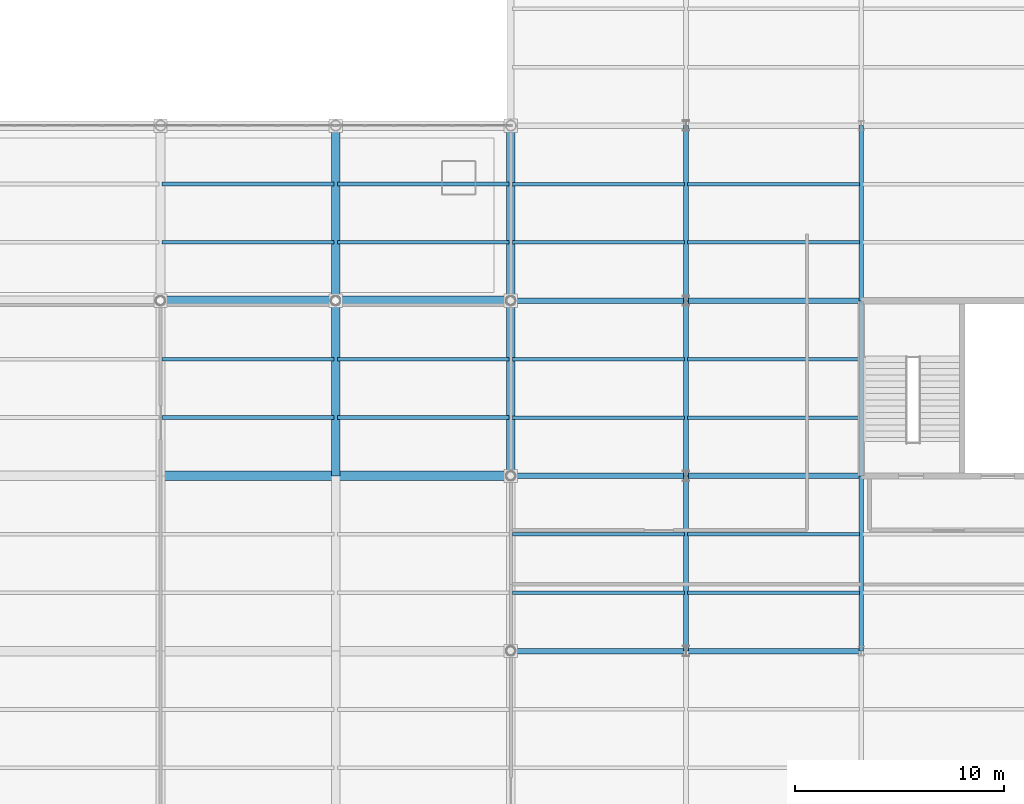
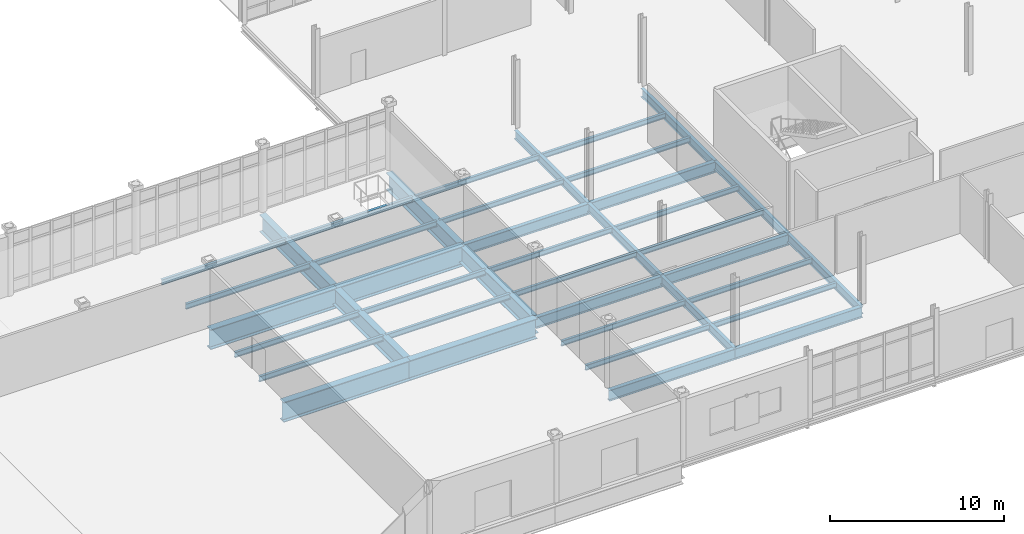
# One storey, part 52 of 145: 40 beams.
"""IFC4 building model written with IfcOpenShell, lengths in metres."""

from ifc_helpers import new_model, si_unit, direction, frame, origin, origin_2d, place, context, subcontext, project, spatial, i_section, extrude, material, material_profile, profile_set, type_object, element, save


model = new_model("IFC4")

# Units and contexts
model_context = context("Model", 3, precision=1e-05, world=origin(), true_north=direction((0.0, 1.0)))
body_context = subcontext(model_context, "Body", "Model", "MODEL_VIEW")
ifc_project = project(units=[si_unit("LENGTHUNIT", "METRE"), si_unit("AREAUNIT", "SQUARE_METRE"), si_unit("VOLUMEUNIT", "CUBIC_METRE"), si_unit("PLANEANGLEUNIT", "RADIAN"), si_unit("MASSUNIT", "GRAM", prefix="KILO")], contexts=[model_context])

# Site, building, storey
site_placement = place(None, origin())
site = spatial("IfcSite", under=ifc_project, at=site_placement, CompositionType="ELEMENT")
building_placement = place(site_placement, origin())
building = spatial("IfcBuilding", under=site, at=building_placement, Name="Qalvenar Corner Mobility Hub", CompositionType="ELEMENT")
storey_placement = place(building_placement, origin())
storey = spatial("IfcBuildingStorey", under=building, at=storey_placement, Name="L00", CompositionType="ELEMENT", Elevation=0.0)

# Beams
ifc_material = material(Name="Steel S355", Category="steel")
ifc_material_profile_1 = material_profile(ifc_material, i_section(OverallWidth=0.219970703125, OverallDepth=0.60009765625, WebThickness=0.011962890625, FlangeThickness=0.01904296875, FilletRadius=0.02392578125, at=origin_2d()), Name="IPE600")
ifc_profile_set_1 = profile_set([ifc_material_profile_1], Name="Steel S355")
beam_type_1 = type_object("IfcBeamType", Name="BM-IPE600", PredefinedType="BEAM", material=ifc_profile_set_1)
beam_1_placement = place(storey_placement, frame((117.60009765625, 8.39990234375, -0.550048828125), z_axis=(0.0, 1.0, 0.0), x_axis=(-1.0, 0.0, 0.0)))
element("IfcBeam", 1, at=beam_1_placement, inside=storey, type_object=beam_type_1, Name="Primary Steel Girder GY-0300", PredefinedType="BEAM", context=body_context, shape_type="SweptSolid", body=[
    extrude(i_section(OverallWidth=0.219970703125, OverallDepth=0.60009765625, WebThickness=0.011962890625, FlangeThickness=0.01904296875, FilletRadius=0.02392578125, at=origin_2d()), origin(), (0.0, 0.0, 1.0), 8.400146484375),
])
beam_2_placement = place(storey_placement, frame((117.60009765625, 16.800048828125, -0.550048828125), z_axis=(0.0, 1.0, 0.0), x_axis=(-1.0, 0.0, 0.0)))
element("IfcBeam", 2, at=beam_2_placement, inside=storey, type_object=beam_type_1, Name="Primary Steel Girder GY-0301", PredefinedType="BEAM", context=body_context, shape_type="SweptSolid", body=[
    extrude(i_section(OverallWidth=0.219970703125, OverallDepth=0.60009765625, WebThickness=0.011962890625, FlangeThickness=0.01904296875, FilletRadius=0.02392578125, at=origin_2d()), origin(), (0.0, 0.0, 1.0), 8.39990234375),
])
for number, where, z_axis, x_axis, name in (
    (3, (117.60009765625, 25.199951171875, -0.550048828125), (0.0, 1.0, 0.0), (-1.0, 0.0, 0.0), "Primary Steel Girder GY-0302"),
    (4, (126.0, 8.39990234375, -0.550048828125), (0.0, 1.0, 0.0), (-1.0, 0.0, 0.0), "Primary Steel Girder GY-0306"),
):
    element("IfcBeam", number, at=place(storey_placement, frame(where, z_axis=z_axis, x_axis=x_axis)), inside=storey, type_object=beam_type_1, Name=name, PredefinedType="BEAM", context=body_context, shape_type="SweptSolid", body=[
        extrude(i_section(OverallWidth=0.219970703125, OverallDepth=0.60009765625, WebThickness=0.011962890625, FlangeThickness=0.01904296875, FilletRadius=0.02392578125, at=origin_2d()), origin(), (0.0, 0.0, 1.0), 8.400146484375),
    ])
beam_3_placement = place(storey_placement, frame((126.0, 16.800048828125, -0.550048828125), z_axis=(0.0, 1.0, 0.0), x_axis=(-1.0, 0.0, 0.0)))
element("IfcBeam", 5, at=beam_3_placement, inside=storey, type_object=beam_type_1, Name="Primary Steel Girder GY-0307", PredefinedType="BEAM", context=body_context, shape_type="SweptSolid", body=[
    extrude(i_section(OverallWidth=0.219970703125, OverallDepth=0.60009765625, WebThickness=0.011962890625, FlangeThickness=0.01904296875, FilletRadius=0.02392578125, at=origin_2d()), origin(), (0.0, 0.0, 1.0), 8.39990234375),
])
beam_4_placement = place(storey_placement, frame((126.0, 25.199951171875, -0.550048828125), z_axis=(0.0, 1.0, 0.0), x_axis=(-1.0, 0.0, 0.0)))
element("IfcBeam", 6, at=beam_4_placement, inside=storey, type_object=beam_type_1, Name="Primary Steel Girder GY-0308", PredefinedType="BEAM", context=body_context, shape_type="SweptSolid", body=[
    extrude(i_section(OverallWidth=0.219970703125, OverallDepth=0.60009765625, WebThickness=0.011962890625, FlangeThickness=0.01904296875, FilletRadius=0.02392578125, at=origin_2d()), origin(), (0.0, 0.0, 1.0), 8.400146484375),
])
ifc_material_profile_2 = material_profile(ifc_material, i_section(OverallWidth=0.26708984375, OverallDepth=0.761962890625, WebThickness=0.014404296875, FlangeThickness=0.021484375, FilletRadius=0.01708984375, at=origin_2d()), Name="IPE750x173")
ifc_profile_set_2 = profile_set([ifc_material_profile_2], Name="Steel S355")
beam_type_2 = type_object("IfcBeamType", Name="BM-IPE750", PredefinedType="BEAM", material=ifc_profile_set_2)
beam_5_placement = place(storey_placement, frame((109.199951171875, 8.39990234375, -0.631103515625), z_axis=(1.0, 0.0, 0.0), x_axis=(0.0, 1.0, 0.0)))
element("IfcBeam", 7, at=beam_5_placement, inside=storey, type_object=beam_type_2, Name="Primary Steel Girder GX-0255", PredefinedType="BEAM", context=body_context, shape_type="SweptSolid", body=[
    extrude(i_section(OverallWidth=0.26708984375, OverallDepth=0.761962890625, WebThickness=0.014404296875, FlangeThickness=0.021484375, FilletRadius=0.01708984375, at=origin_2d()), origin(), (0.0, 0.0, 1.0), 8.400146484375),
])
beam_6_placement = place(storey_placement, frame((117.60009765625, 8.39990234375, -0.631103515625), z_axis=(1.0, 0.0, 0.0), x_axis=(0.0, 1.0, 0.0)))
element("IfcBeam", 8, at=beam_6_placement, inside=storey, type_object=beam_type_2, Name="Primary Steel Girder GX-0256", PredefinedType="BEAM", context=body_context, shape_type="SweptSolid", body=[
    extrude(i_section(OverallWidth=0.26708984375, OverallDepth=0.761962890625, WebThickness=0.014404296875, FlangeThickness=0.021484375, FilletRadius=0.01708984375, at=origin_2d()), origin(), (0.0, 0.0, 1.0), 8.39990234375),
])
beam_7_placement = place(storey_placement, frame((109.199951171875, 16.800048828125, -0.631103515625), z_axis=(1.0, 0.0, 0.0), x_axis=(0.0, 1.0, 0.0)))
element("IfcBeam", 9, at=beam_7_placement, inside=storey, type_object=beam_type_2, Name="Primary Steel Girder GX-0262", PredefinedType="BEAM", context=body_context, shape_type="SweptSolid", body=[
    extrude(i_section(OverallWidth=0.26708984375, OverallDepth=0.761962890625, WebThickness=0.014404296875, FlangeThickness=0.021484375, FilletRadius=0.01708984375, at=origin_2d()), origin(), (0.0, 0.0, 1.0), 8.400146484375),
])
beam_8_placement = place(storey_placement, frame((117.60009765625, 16.800048828125, -0.631103515625), z_axis=(1.0, 0.0, 0.0), x_axis=(0.0, 1.0, 0.0)))
element("IfcBeam", 10, at=beam_8_placement, inside=storey, type_object=beam_type_2, Name="Primary Steel Girder GX-0263", PredefinedType="BEAM", context=body_context, shape_type="SweptSolid", body=[
    extrude(i_section(OverallWidth=0.26708984375, OverallDepth=0.761962890625, WebThickness=0.014404296875, FlangeThickness=0.021484375, FilletRadius=0.01708984375, at=origin_2d()), origin(), (0.0, 0.0, 1.0), 8.39990234375),
])
beam_9_placement = place(storey_placement, frame((109.199951171875, 25.199951171875, -0.631103515625), z_axis=(1.0, 0.0, 0.0), x_axis=(0.0, 1.0, 0.0)))
element("IfcBeam", 11, at=beam_9_placement, inside=storey, type_object=beam_type_2, Name="Primary Steel Girder GX-0269", PredefinedType="BEAM", context=body_context, shape_type="SweptSolid", body=[
    extrude(i_section(OverallWidth=0.26708984375, OverallDepth=0.761962890625, WebThickness=0.014404296875, FlangeThickness=0.021484375, FilletRadius=0.01708984375, at=origin_2d()), origin(), (0.0, 0.0, 1.0), 8.400146484375),
])
beam_10_placement = place(storey_placement, frame((117.60009765625, 25.199951171875, -0.631103515625), z_axis=(1.0, 0.0, 0.0), x_axis=(0.0, 1.0, 0.0)))
element("IfcBeam", 12, at=beam_10_placement, inside=storey, type_object=beam_type_2, Name="Primary Steel Girder GX-0270", PredefinedType="BEAM", context=body_context, shape_type="SweptSolid", body=[
    extrude(i_section(OverallWidth=0.26708984375, OverallDepth=0.761962890625, WebThickness=0.014404296875, FlangeThickness=0.021484375, FilletRadius=0.01708984375, at=origin_2d()), origin(), (0.0, 0.0, 1.0), 8.39990234375),
])
ifc_material_profile_3 = material_profile(ifc_material, i_section(OverallWidth=0.169921875, OverallDepth=0.360107421875, WebThickness=0.008056640625, FlangeThickness=0.0126953125, FilletRadius=0.01806640625, at=origin_2d()), Name="IPE360")
ifc_profile_set_3 = profile_set([ifc_material_profile_3], Name="Steel S355")
beam_type_3 = type_object("IfcBeamType", Name="BM-JST360", PredefinedType="JOIST", material=ifc_profile_set_3)
for number, where, z_axis, x_axis, name in (
    (13, (109.278076171875, 11.199951171875, -0.429931640625), (1.0, 0.0, 0.0), (0.0, 1.0, 0.0), "Composite Floor Joist J-0343"),
    (14, (109.278076171875, 14.0, -0.429931640625), (1.0, 0.0, 0.0), (0.0, 1.0, 0.0), "Composite Floor Joist J-0344"),
    (15, (109.278076171875, 19.60009765625, -0.429931640625), (1.0, 0.0, 0.0), (0.0, 1.0, 0.0), "Composite Floor Joist J-0345"),
    (16, (109.278076171875, 22.39990234375, -0.429931640625), (1.0, 0.0, 0.0), (0.0, 1.0, 0.0), "Composite Floor Joist J-0346"),
    (17, (109.278076171875, 28.0, -0.429931640625), (1.0, 0.0, 0.0), (0.0, 1.0, 0.0), "Composite Floor Joist J-0347"),
    (18, (109.278076171875, 30.800048828125, -0.429931640625), (1.0, 0.0, 0.0), (0.0, 1.0, 0.0), "Composite Floor Joist J-0348"),
):
    element("IfcBeam", number, at=place(storey_placement, frame(where, z_axis=z_axis, x_axis=x_axis)), inside=storey, type_object=beam_type_3, Name=name, PredefinedType="JOIST", context=body_context, shape_type="SweptSolid", body=[
        extrude(i_section(OverallWidth=0.169921875, OverallDepth=0.360107421875, WebThickness=0.008056640625, FlangeThickness=0.0126953125, FilletRadius=0.01806640625, at=origin_2d()), origin(), (0.0, 0.0, 1.0), 8.243896484375),
    ])
for number, where, z_axis, x_axis, name in (
    (19, (117.677978515625, 11.199951171875, -0.429931640625), (1.0, 0.0, 0.0), (0.0, 1.0, 0.0), "Composite Floor Joist J-0355"),
    (20, (117.677978515625, 14.0, -0.429931640625), (1.0, 0.0, 0.0), (0.0, 1.0, 0.0), "Composite Floor Joist J-0356"),
    (21, (117.677978515625, 19.60009765625, -0.429931640625), (1.0, 0.0, 0.0), (0.0, 1.0, 0.0), "Composite Floor Joist J-0357"),
    (22, (117.677978515625, 22.39990234375, -0.429931640625), (1.0, 0.0, 0.0), (0.0, 1.0, 0.0), "Composite Floor Joist J-0358"),
    (23, (117.677978515625, 28.0, -0.429931640625), (1.0, 0.0, 0.0), (0.0, 1.0, 0.0), "Composite Floor Joist J-0359"),
    (24, (117.677978515625, 30.800048828125, -0.429931640625), (1.0, 0.0, 0.0), (0.0, 1.0, 0.0), "Composite Floor Joist J-0360"),
):
    element("IfcBeam", number, at=place(storey_placement, frame(where, z_axis=z_axis, x_axis=x_axis)), inside=storey, type_object=beam_type_3, Name=name, PredefinedType="JOIST", context=body_context, shape_type="SweptSolid", body=[
        extrude(i_section(OverallWidth=0.169921875, OverallDepth=0.360107421875, WebThickness=0.008056640625, FlangeThickness=0.0126953125, FilletRadius=0.01806640625, at=origin_2d()), origin(), (0.0, 0.0, 1.0), 8.244140625),
    ])
ifc_material_profile_4 = material_profile(ifc_material, i_section(OverallWidth=0.175048828125, OverallDepth=0.3798828125, WebThickness=0.00830078125, FlangeThickness=0.012939453125, FilletRadius=0.01806640625, at=origin_2d()), Name="IPE380-EQ")
ifc_profile_set_4 = profile_set([ifc_material_profile_4], Name="Steel S355")
beam_type_4 = type_object("IfcBeamType", Name="BM-JST380", PredefinedType="JOIST", material=ifc_profile_set_4)
for number, where, z_axis, x_axis, name in (
    (25, (92.47802734375, 19.60009765625, -0.43994140625), (1.0, 0.0, 0.0), (0.0, 1.0, 0.0), "Composite Floor Joist J-0236"),
    (26, (92.47802734375, 22.39990234375, -0.43994140625), (1.0, 0.0, 0.0), (0.0, 1.0, 0.0), "Composite Floor Joist J-0237"),
    (27, (92.47802734375, 28.0, -0.43994140625), (1.0, 0.0, 0.0), (0.0, 1.0, 0.0), "Composite Floor Joist J-0238"),
    (28, (92.47802734375, 30.800048828125, -0.43994140625), (1.0, 0.0, 0.0), (0.0, 1.0, 0.0), "Composite Floor Joist J-0239"),
):
    element("IfcBeam", number, at=place(storey_placement, frame(where, z_axis=z_axis, x_axis=x_axis)), inside=storey, type_object=beam_type_4, Name=name, PredefinedType="JOIST", context=body_context, shape_type="SweptSolid", body=[
        extrude(i_section(OverallWidth=0.175048828125, OverallDepth=0.3798828125, WebThickness=0.00830078125, FlangeThickness=0.012939453125, FilletRadius=0.01806640625, at=origin_2d()), origin(), (0.0, 0.0, 1.0), 8.243896484375),
    ])
for number, where, z_axis, x_axis, name in (
    (29, (100.8779296875, 19.60009765625, -0.43994140625), (1.0, 0.0, 0.0), (0.0, 1.0, 0.0), "Composite Floor Joist J-0244"),
    (30, (100.8779296875, 22.39990234375, -0.43994140625), (1.0, 0.0, 0.0), (0.0, 1.0, 0.0), "Composite Floor Joist J-0245"),
    (31, (100.8779296875, 28.0, -0.43994140625), (1.0, 0.0, 0.0), (0.0, 1.0, 0.0), "Composite Floor Joist J-0246"),
    (32, (100.8779296875, 30.800048828125, -0.43994140625), (1.0, 0.0, 0.0), (0.0, 1.0, 0.0), "Composite Floor Joist J-0247"),
):
    element("IfcBeam", number, at=place(storey_placement, frame(where, z_axis=z_axis, x_axis=x_axis)), inside=storey, type_object=beam_type_4, Name=name, PredefinedType="JOIST", context=body_context, shape_type="SweptSolid", body=[
        extrude(i_section(OverallWidth=0.175048828125, OverallDepth=0.3798828125, WebThickness=0.00830078125, FlangeThickness=0.012939453125, FilletRadius=0.01806640625, at=origin_2d()), origin(), (0.0, 0.0, 1.0), 8.244140625),
    ])
ifc_material_profile_5 = material_profile(ifc_material, i_section(OverallWidth=0.419921875, OverallDepth=1.199951171875, WebThickness=0.02197265625, FlangeThickness=0.0380859375, FilletRadius=0.02392578125, at=origin_2d()), Name="W1100x390-TG1200")
ifc_profile_set_5 = profile_set([ifc_material_profile_5], Name="Steel S355")
beam_type_5 = type_object("IfcBeamType", Name="BM-TG1200", PredefinedType="T_BEAM", material=ifc_profile_set_5)
beam_11_placement = place(storey_placement, frame((100.800048828125, 16.800048828125, -0.85009765625), z_axis=(0.0, 1.0, 0.0), x_axis=(-1.0, 0.0, 0.0)))
element("IfcBeam", 33, at=beam_11_placement, inside=storey, type_object=beam_type_5, Name="Transfer Girder TG-0186", PredefinedType="T_BEAM", context=body_context, shape_type="SweptSolid", body=[
    extrude(i_section(OverallWidth=0.419921875, OverallDepth=1.199951171875, WebThickness=0.02197265625, FlangeThickness=0.0380859375, FilletRadius=0.02392578125, at=origin_2d()), origin(), (0.0, 0.0, 1.0), 8.39990234375),
])
beam_12_placement = place(storey_placement, frame((100.800048828125, 25.199951171875, -0.85009765625), z_axis=(0.0, 1.0, 0.0), x_axis=(-1.0, 0.0, 0.0)))
element("IfcBeam", 34, at=beam_12_placement, inside=storey, type_object=beam_type_5, Name="Transfer Girder TG-0187", PredefinedType="T_BEAM", context=body_context, shape_type="SweptSolid", body=[
    extrude(i_section(OverallWidth=0.419921875, OverallDepth=1.199951171875, WebThickness=0.02197265625, FlangeThickness=0.0380859375, FilletRadius=0.02392578125, at=origin_2d()), origin(), (0.0, 0.0, 1.0), 8.400146484375),
])
beam_13_placement = place(storey_placement, frame((109.199951171875, 16.800048828125, -0.85009765625), z_axis=(0.0, 1.0, 0.0), x_axis=(-1.0, 0.0, 0.0)))
element("IfcBeam", 35, at=beam_13_placement, inside=storey, type_object=beam_type_5, Name="Transfer Girder TG-0190", PredefinedType="T_BEAM", context=body_context, shape_type="SweptSolid", body=[
    extrude(i_section(OverallWidth=0.419921875, OverallDepth=1.199951171875, WebThickness=0.02197265625, FlangeThickness=0.0380859375, FilletRadius=0.02392578125, at=origin_2d()), origin(), (0.0, 0.0, 1.0), 8.39990234375),
])
beam_14_placement = place(storey_placement, frame((109.199951171875, 25.199951171875, -0.85009765625), z_axis=(0.0, 1.0, 0.0), x_axis=(-1.0, 0.0, 0.0)))
element("IfcBeam", 36, at=beam_14_placement, inside=storey, type_object=beam_type_5, Name="Transfer Girder TG-0191", PredefinedType="T_BEAM", context=body_context, shape_type="SweptSolid", body=[
    extrude(i_section(OverallWidth=0.419921875, OverallDepth=1.199951171875, WebThickness=0.02197265625, FlangeThickness=0.0380859375, FilletRadius=0.02392578125, at=origin_2d()), origin(), (0.0, 0.0, 1.0), 8.400146484375),
])
ifc_material_profile_6 = material_profile(ifc_material, i_section(OverallWidth=0.449951171875, OverallDepth=1.39990234375, WebThickness=0.02587890625, FlangeThickness=0.0439453125, FilletRadius=0.02392578125, at=origin_2d()), Name="W1100x499-TG1400")
ifc_profile_set_6 = profile_set([ifc_material_profile_6], Name="Steel S355")
beam_type_6 = type_object("IfcBeamType", Name="BM-TG1400", PredefinedType="T_BEAM", material=ifc_profile_set_6)
beam_15_placement = place(storey_placement, frame((92.39990234375, 16.800048828125, -0.949951171875), z_axis=(1.0, 0.0, 0.0), x_axis=(0.0, 1.0, 0.0)))
element("IfcBeam", 37, at=beam_15_placement, inside=storey, type_object=beam_type_6, Name="Transfer Girder TG-0148", PredefinedType="T_BEAM", context=body_context, shape_type="SweptSolid", body=[
    extrude(i_section(OverallWidth=0.449951171875, OverallDepth=1.39990234375, WebThickness=0.02587890625, FlangeThickness=0.0439453125, FilletRadius=0.02392578125, at=origin_2d()), origin(), (0.0, 0.0, 1.0), 8.400146484375),
])
beam_16_placement = place(storey_placement, frame((100.800048828125, 16.800048828125, -0.949951171875), z_axis=(1.0, 0.0, 0.0), x_axis=(0.0, 1.0, 0.0)))
element("IfcBeam", 38, at=beam_16_placement, inside=storey, type_object=beam_type_6, Name="Transfer Girder TG-0149", PredefinedType="T_BEAM", context=body_context, shape_type="SweptSolid", body=[
    extrude(i_section(OverallWidth=0.449951171875, OverallDepth=1.39990234375, WebThickness=0.02587890625, FlangeThickness=0.0439453125, FilletRadius=0.02392578125, at=origin_2d()), origin(), (0.0, 0.0, 1.0), 8.39990234375),
])
beam_17_placement = place(storey_placement, frame((92.39990234375, 25.199951171875, -0.949951171875), z_axis=(1.0, 0.0, 0.0), x_axis=(0.0, 1.0, 0.0)))
element("IfcBeam", 39, at=beam_17_placement, inside=storey, type_object=beam_type_6, Name="Transfer Girder TG-0155", PredefinedType="T_BEAM", context=body_context, shape_type="SweptSolid", body=[
    extrude(i_section(OverallWidth=0.449951171875, OverallDepth=1.39990234375, WebThickness=0.02587890625, FlangeThickness=0.0439453125, FilletRadius=0.02392578125, at=origin_2d()), origin(), (0.0, 0.0, 1.0), 8.400146484375),
])
beam_18_placement = place(storey_placement, frame((100.800048828125, 25.199951171875, -0.949951171875), z_axis=(1.0, 0.0, 0.0), x_axis=(0.0, 1.0, 0.0)))
element("IfcBeam", 40, at=beam_18_placement, inside=storey, type_object=beam_type_6, Name="Transfer Girder TG-0156", PredefinedType="T_BEAM", context=body_context, shape_type="SweptSolid", body=[
    extrude(i_section(OverallWidth=0.449951171875, OverallDepth=1.39990234375, WebThickness=0.02587890625, FlangeThickness=0.0439453125, FilletRadius=0.02392578125, at=origin_2d()), origin(), (0.0, 0.0, 1.0), 8.39990234375),
])

save(model, "model.ifc")
